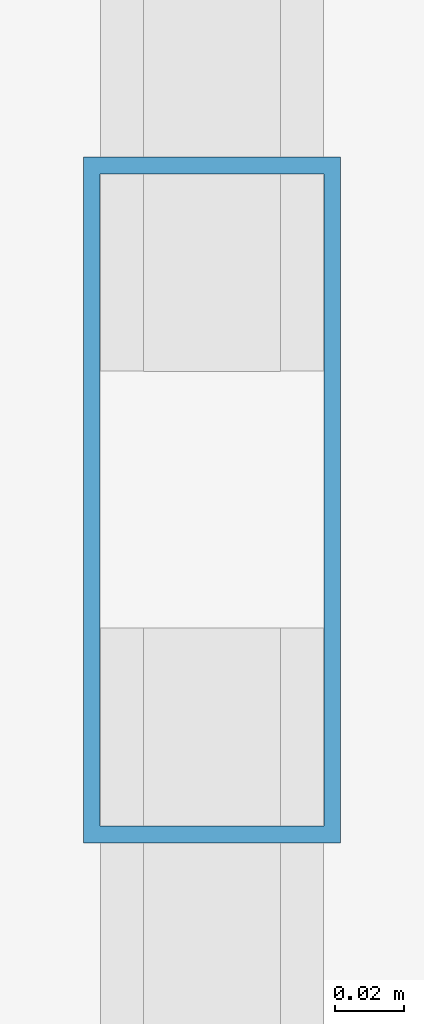
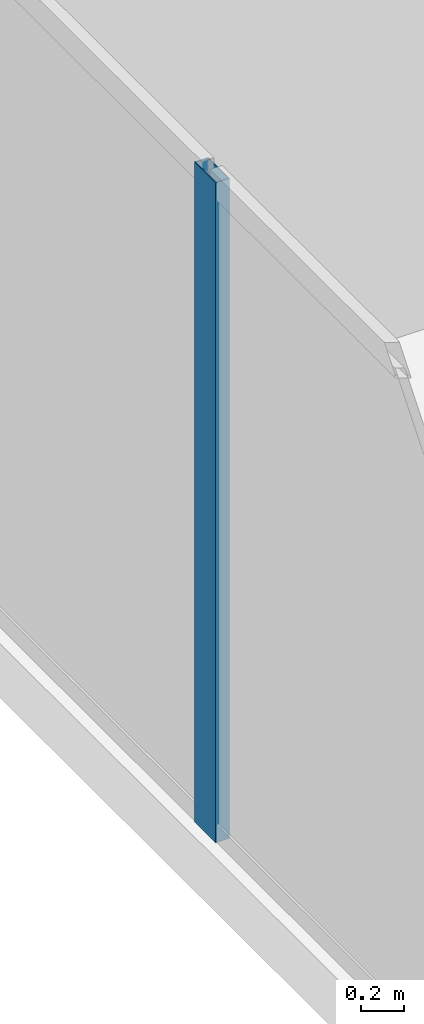
# One storey, part 8 of 30: 1 member, 1 element without a shape of its own.
"""IFC4 building model written with IfcOpenShell, lengths in metres."""

import ifcopenshell
import ifcopenshell.guid

model = None  # the IFC model being written
_history = None  # IfcOwnerHistory: only IFC2X3 demands one
_inside = {}  # id of a spatial element -> (the spatial element, [elements in it])
_under = {}  # id of a project, library or spatial element -> (it, [spatial elements below it])
_declared = {}  # id of a project -> (the project, [libraries it declares])
_typed = {}  # id of a type object -> (the type object, [elements of that type])
_made_of = {}  # id of a material, layer set ... -> (it, [elements and type objects made of it])


def new_model(schema):
    """Start an empty IFC model of exactly this schema.

    Asked for "IFC4X3", IfcOpenShell would pick the latest addendum, in which some entities
    have other attributes; the version numbers below select the first issue.
    IFC2X3 requires an IfcOwnerHistory on every rooted entity: one is made here for all.
    """
    global model, _history
    if schema == "IFC4X3":
        model = ifcopenshell.file(schema_version=(4, 3, 0, 0))
    else:
        model = ifcopenshell.file(schema=schema)
    _inside.clear()
    _under.clear()
    _declared.clear()
    _typed.clear()
    _made_of.clear()
    _history = None
    if model.schema == "IFC2X3":
        org = make("IfcOrganization", Name="unknown")
        user = make(
            "IfcPersonAndOrganization",
            ThePerson=make("IfcPerson", FamilyName="unknown"),
            TheOrganization=org,
        )
        app = make(
            "IfcApplication",
            ApplicationDeveloper=org,
            Version="unknown",
            ApplicationFullName="unknown",
            ApplicationIdentifier="unknown",
        )
        _history = make(
            "IfcOwnerHistory",
            OwningUser=user,
            OwningApplication=app,
            ChangeAction="ADDED",
            CreationDate=0,
        )
    return model


def make(cls, **values):
    """One entity of the class cls with the attributes given. An attribute that is None is left unset."""
    return model.create_entity(
        cls, **{name: value for name, value in values.items() if value is not None}
    )


def rooted(cls, **values):
    """An entity with a GlobalId (a new one), such as an element, a storey or a relation."""
    return make(cls, GlobalId=ifcopenshell.guid.new(), OwnerHistory=_history, **values)


def si_unit(unit_type, name, prefix=None):
    """IfcSIUnit, for example si_unit("LENGTHUNIT", "METRE", prefix="MILLI")."""
    return make("IfcSIUnit", UnitType=unit_type, Prefix=prefix, Name=name)


def assignment(units):
    """IfcUnitAssignment: the units of a project."""
    return None if units is None else make("IfcUnitAssignment", Units=units)


def point(xyz):
    """IfcCartesianPoint."""
    return None if xyz is None else make("IfcCartesianPoint", Coordinates=xyz)


def direction(xyz):
    """IfcDirection."""
    return None if xyz is None else make("IfcDirection", DirectionRatios=xyz)


def frame(location, z_axis=None, x_axis=None):
    """IfcAxis2Placement3D, a coordinate frame: its origin and axes. An axis left out is left unset."""
    return make(
        "IfcAxis2Placement3D",
        Location=point(location),
        Axis=direction(z_axis),
        RefDirection=direction(x_axis),
    )


def frame_2d(location, x_axis=None):
    """IfcAxis2Placement2D, a coordinate frame in the plane: its origin and x axis."""
    return make(
        "IfcAxis2Placement2D", Location=point(location), RefDirection=direction(x_axis)
    )


def origin():
    """The frame at (0, 0, 0) with its axes left unset."""
    return frame((0.0, 0.0, 0.0))


def origin_2d():
    """The frame at (0, 0) in the plane with its x axis left unset."""
    return frame_2d((0.0, 0.0))


def place(relative_to, where):
    """IfcLocalPlacement: puts the frame where relative to a parent placement (None: the world)."""
    return make(
        "IfcLocalPlacement", PlacementRelTo=relative_to, RelativePlacement=where
    )


def context(
    kind, dimensions, precision=None, world=None, true_north=None, identifier=None
):
    """IfcGeometricRepresentationContext, for example the 3D "Model" context."""
    return make(
        "IfcGeometricRepresentationContext",
        ContextIdentifier=identifier,
        ContextType=kind,
        CoordinateSpaceDimension=dimensions,
        Precision=precision,
        WorldCoordinateSystem=world,
        TrueNorth=true_north,
    )


def subcontext(parent, identifier, kind, view, scale=None):
    """IfcGeometricRepresentationSubContext, for example "Body" below "Model"."""
    return make(
        "IfcGeometricRepresentationSubContext",
        ContextIdentifier=identifier,
        ContextType=kind,
        ParentContext=parent,
        TargetScale=scale,
        TargetView=view,
    )


def project(units=None, contexts=None):
    """IfcProject with its units and contexts."""
    return rooted(
        "IfcProject",
        Name="project",
        RepresentationContexts=contexts,
        UnitsInContext=assignment(units),
    )


def spatial(cls, under=None, at=None, **own):
    """A site, building, storey or space (cls), placed at a placement, below another one or the project."""
    s = rooted(cls, ObjectPlacement=at, **own)
    if under is not None:
        _under.setdefault(under.id(), (under, []))[1].append(s)
    return s


def profile(cls, at=None, kind="AREA", **sizes):
    """A parametric profile (cls). Its sizes go by their IFC names, for example OverallWidth=200.0."""
    return make(cls, ProfileType=kind, Position=at, **sizes)


def hollow_rectangle(**sizes):
    """IfcRectangleHollowProfileDef."""
    return profile("IfcRectangleHollowProfileDef", **sizes)


def extrude(swept, where, along, depth):
    """IfcExtrudedAreaSolid: the profile swept, set in the frame where, extruded along a direction by depth."""
    return make(
        "IfcExtrudedAreaSolid",
        SweptArea=swept,
        Position=where,
        ExtrudedDirection=direction(along),
        Depth=depth,
    )


def shape(context_of_items, identifier, shape_type, items):
    """IfcShapeRepresentation: the items that make up one representation, for example the "Body"."""
    return make(
        "IfcShapeRepresentation",
        ContextOfItems=context_of_items,
        RepresentationIdentifier=identifier,
        RepresentationType=shape_type,
        Items=items,
    )


def source(mapping_origin, context_of_items, identifier, shape_type, items):
    """IfcRepresentationMap: a shape defined once, which mapped items show again and again."""
    return make(
        "IfcRepresentationMap",
        MappingOrigin=mapping_origin,
        MappedRepresentation=shape(context_of_items, identifier, shape_type, items),
    )


def transform(
    local_origin,
    x_axis=None,
    y_axis=None,
    z_axis=None,
    scale=None,
    scale2=None,
    scale3=None,
    uniform=True,
):
    """IfcCartesianTransformationOperator3D, or its non-uniform kind. x_axis, y_axis, z_axis: its Axis1, 2, 3."""
    if uniform:
        return make(
            "IfcCartesianTransformationOperator3D",
            Axis1=direction(x_axis),
            Axis2=direction(y_axis),
            LocalOrigin=point(local_origin),
            Scale=scale,
            Axis3=direction(z_axis),
        )
    return make(
        "IfcCartesianTransformationOperator3DnonUniform",
        Axis1=direction(x_axis),
        Axis2=direction(y_axis),
        LocalOrigin=point(local_origin),
        Scale=scale,
        Axis3=direction(z_axis),
        Scale2=scale2,
        Scale3=scale3,
    )


def mapped(mapping_source, mapping_target):
    """IfcMappedItem: shows the shape of a source again, moved by a transform."""
    return make(
        "IfcMappedItem", MappingSource=mapping_source, MappingTarget=mapping_target
    )


def material(Name=None, Category=None):
    """IfcMaterial."""
    return make("IfcMaterial", Name=Name, Category=Category)


def layer(
    of_material, thickness, ventilated=None, Name=None, Category=None, Priority=None
):
    """IfcMaterialLayer: one layer of a wall or slab, of a material (None: an air gap)."""
    return make(
        "IfcMaterialLayer",
        Material=of_material,
        LayerThickness=thickness,
        IsVentilated=ventilated,
        Name=Name,
        Category=Category,
        Priority=Priority,
    )


def layer_set(layers, Name=None):
    """IfcMaterialLayerSet."""
    return make("IfcMaterialLayerSet", MaterialLayers=layers, LayerSetName=Name)


def material_profile(
    of_material, cross_section, Name=None, Category=None, Priority=None
):
    """IfcMaterialProfile: a cross section and its material."""
    return make(
        "IfcMaterialProfile",
        Name=Name,
        Material=of_material,
        Profile=cross_section,
        Priority=Priority,
        Category=Category,
    )


def profile_set(profiles, Name=None, composite=None):
    """IfcMaterialProfileSet."""
    return make(
        "IfcMaterialProfileSet",
        Name=Name,
        MaterialProfiles=profiles,
        CompositeProfile=composite,
    )


def made_of(thing, what):
    """Note that an element or type object is made of a material, layer set ...; save() writes the relation."""
    if what is not None:
        _made_of.setdefault(what.id(), (what, []))[1].append(thing)
    return thing


def type_object(cls, material=None, **own):
    """A type object (cls), such as IfcWallType, which elements share."""
    return made_of(rooted(cls, **own), material)


def type_shapes(of_type, sources):
    """Give a type object the sources (RepresentationMaps) that its elements show as mapped items."""
    of_type.RepresentationMaps = sources


def element(
    cls,
    number,
    at=None,
    inside=None,
    cuts=None,
    type_object=None,
    material=None,
    context=None,
    identifier="Body",
    shape_type=None,
    held_by="IfcProductDefinitionShape",
    body=None,
    shapes=None,
    **own,
):
    """One element of the class cls, such as IfcWall. Its Tag is "e" and its number.

    at: its placement. inside: the storey or other place that contains it. cuts: it is an
    opening in that element (IfcRelVoidsElement). A single representation is given by context,
    identifier, shape_type and body (its items); several are given by shapes. held_by: the class
    of the entity that holds the representations. save() writes the other relations.
    """
    e = rooted(cls, Tag="e%d" % number, ObjectPlacement=at, **own)
    if body is not None:
        shapes = [shape(context, identifier, shape_type, body)]
    if shapes is not None:
        e.Representation = make(held_by, Representations=shapes)
    if inside is not None:
        _inside.setdefault(inside.id(), (inside, []))[1].append(e)
    if cuts is not None:
        rooted(
            "IfcRelVoidsElement", RelatingBuildingElement=cuts, RelatedOpeningElement=e
        )
    if type_object is not None:
        _typed.setdefault(type_object.id(), (type_object, []))[1].append(e)
    return made_of(e, material)


def aggregate(whole, parts):
    """IfcRelAggregates: a whole, such as a stair, and the parts it consists of."""
    return rooted("IfcRelAggregates", RelatingObject=whole, RelatedObjects=parts)


def save(model, path):
    """Write the relations noted so far, then the file.

    IfcRelAggregates (storeys below a building ...), IfcRelContainedInSpatialStructure (elements
    in a storey), IfcRelDefinesByType, IfcRelAssociatesMaterial and IfcRelDeclares: one each for
    every whole, place, type object, material and project.
    """
    for whole, parts in _under.values():
        aggregate(whole, parts)
    for where, things in _inside.values():
        rooted(
            "IfcRelContainedInSpatialStructure",
            RelatedElements=things,
            RelatingStructure=where,
        )
    for kind, things in _typed.values():
        rooted("IfcRelDefinesByType", RelatedObjects=things, RelatingType=kind)
    for what, things in _made_of.values():
        rooted("IfcRelAssociatesMaterial", RelatedObjects=things, RelatingMaterial=what)
    for by, libraries in _declared.values():
        rooted("IfcRelDeclares", RelatingContext=by, RelatedDefinitions=libraries)
    model.write(path)


model = new_model("IFC4")

# Units and contexts
model_context = context("Model", 3, precision=1e-05, world=origin(), true_north=direction((0.0, 1.0)))
body_context = subcontext(model_context, "Body", "Model", "MODEL_VIEW")
ifc_project = project(units=[si_unit("LENGTHUNIT", "METRE"), si_unit("AREAUNIT", "SQUARE_METRE"), si_unit("VOLUMEUNIT", "CUBIC_METRE"), si_unit("PLANEANGLEUNIT", "RADIAN"), si_unit("MASSUNIT", "GRAM", prefix="KILO")], contexts=[model_context])

# Site, building, storey
site_placement = place(None, origin())
site = spatial("IfcSite", under=ifc_project, at=site_placement, CompositionType="ELEMENT")
building_placement = place(site_placement, origin())
building = spatial("IfcBuilding", under=site, at=building_placement, Name="Haelvirn Gate Laboratories", CompositionType="ELEMENT")
storey_placement = place(building_placement, frame((0.0, 0.0, 170.699951171875)))
storey = spatial("IfcBuildingStorey", under=building, at=storey_placement, Name="L41", CompositionType="ELEMENT", Elevation=170.699951171875)

# Curtain wall, member
ifc_material_1 = material(Name="Anodised bronze unitised aluminium & triple low-E glass", Category="aluminium")
ifc_layer = layer(ifc_material_1, 0.179931640625, Name="CW-SYS-3")
ifc_layer_set = layer_set([ifc_layer], Name="Anodised bronze unitised aluminium & triple low-E glass")
curtain_wall_type = type_object("IfcCurtainWallType", Name="CW-SYS-3", PredefinedType="NOTDEFINED", material=ifc_layer_set)
curtain_wall_placement = place(storey_placement, origin())
curtain_wall = element("IfcCurtainWall", 1, at=curtain_wall_placement, inside=storey, type_object=curtain_wall_type, Name="L41 Unitised Curtain Wall CW-L41-P0-E17", PredefinedType="NOTDEFINED")
ifc_material_2 = material(Name="Extruded aluminium 6063-T6 (anodised bronze)", Category="aluminium")
ifc_material_profile = material_profile(ifc_material_2, hollow_rectangle(XDim=0.074951171875, YDim=0.199951171875, WallThickness=0.0048828125, at=origin_2d()), Name="CWM-200x75x5")
ifc_profile_set = profile_set([ifc_material_profile], Name="Extruded aluminium 6063-T6 (anodised bronze)")
member_type = type_object("IfcMemberType", Name="CWM-T200", PredefinedType="MULLION", material=ifc_profile_set)
shared_shape = source(origin(), body_context, "Body", "SweptSolid", [
    extrude(hollow_rectangle(XDim=0.074951171875, YDim=0.199951171875, WallThickness=0.0048828125, at=origin_2d()), origin(), (0.0, 0.0, 1.0), 3.7900390625),
])
type_shapes(member_type, [shared_shape])
member_placement = place(storey_placement, frame((2.10009765625, 30.966552734375, 0.0), z_axis=(0.0, 0.0, 1.0), x_axis=(1.0, 0.0, 0.0)))
member = element("IfcMember", 2, at=member_placement, type_object=member_type, Name="CW3 mullion 2", PredefinedType="MULLION", context=body_context, shape_type="MappedRepresentation", body=[
    mapped(shared_shape, transform((0.0, 0.0, 0.0), scale=1.0)),
])
aggregate(curtain_wall, [member])

save(model, "model.ifc")
